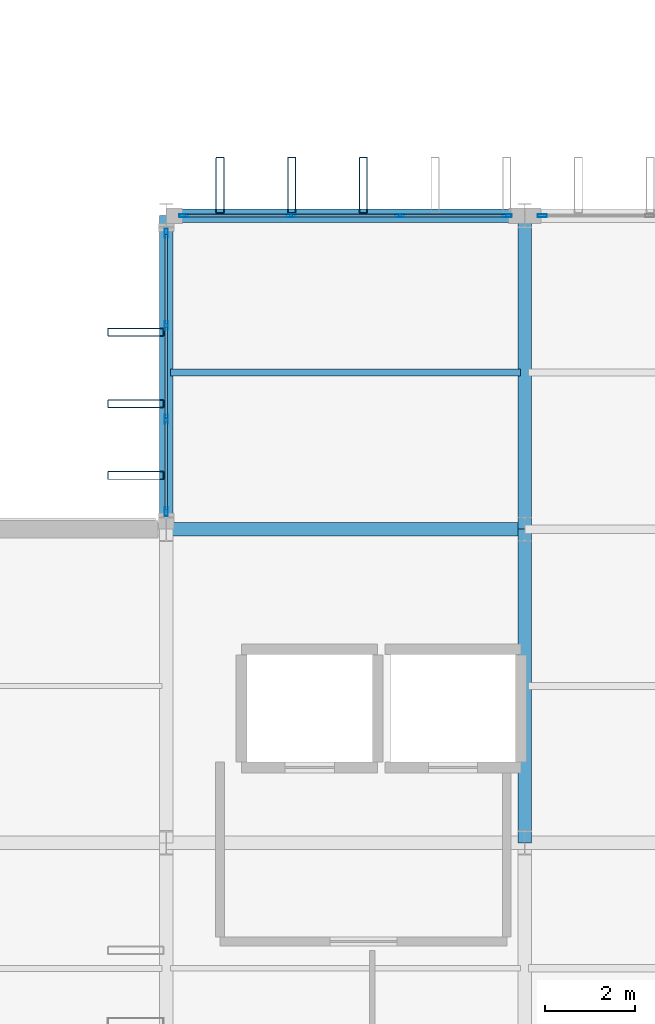
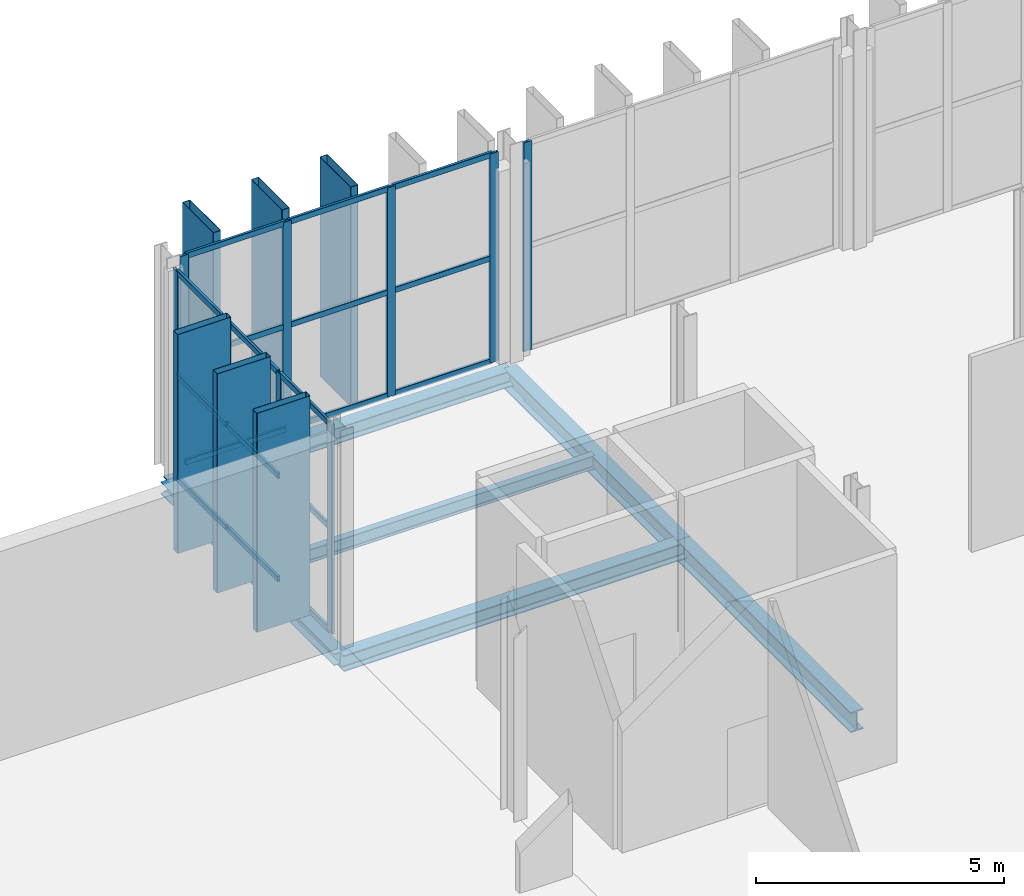
# One storey, part 51 of 147: 33 members, 6 beams, 3 elements without a shape of their own.
"""IFC4 building model written with IfcOpenShell, lengths in metres."""

from ifc_helpers import new_model, si_unit, direction, frame, origin, origin_2d, place, context, subcontext, project, spatial, hollow_rectangle, i_section, extrude, material, layer, layer_set, material_profile, profile_set, type_object, element, aggregate, save


model = new_model("IFC4")

# Units and contexts
model_context = context("Model", 3, precision=1e-05, world=origin(), true_north=direction((0.0, 1.0)))
body_context = subcontext(model_context, "Body", "Model", "MODEL_VIEW")
ifc_project = project(units=[si_unit("LENGTHUNIT", "METRE"), si_unit("AREAUNIT", "SQUARE_METRE"), si_unit("VOLUMEUNIT", "CUBIC_METRE"), si_unit("PLANEANGLEUNIT", "RADIAN"), si_unit("MASSUNIT", "GRAM", prefix="KILO")], contexts=[model_context])

# Site, building, storey
site_placement = place(None, origin())
site = spatial("IfcSite", under=ifc_project, at=site_placement, CompositionType="ELEMENT")
building_placement = place(site_placement, origin())
building = spatial("IfcBuilding", under=site, at=building_placement, Name="Vekula Escarpment Museum", CompositionType="ELEMENT")
storey_placement = place(building_placement, frame((0.0, 0.0, 7.800048828125)))
storey = spatial("IfcBuildingStorey", under=building, at=storey_placement, Name="L02", CompositionType="ELEMENT", Elevation=7.800048828125)

# Beams
ifc_material_1 = material(Name="Steel S355", Category="steel")
ifc_material_profile_1 = material_profile(ifc_material_1, i_section(OverallWidth=0.300048828125, OverallDepth=0.39990234375, WebThickness=0.013427734375, FlangeThickness=0.02392578125, FilletRadius=0.027099609375, at=origin_2d()), Name="HEB 400")
ifc_profile_set_1 = profile_set([ifc_material_profile_1], Name="Steel S355")
beam_type_1 = type_object("IfcBeamType", Name="BM-GIRD-HEB400", PredefinedType="BEAM", material=ifc_profile_set_1)
beam_1_placement = place(storey_placement, frame((70.0, 83.39990234375, -0.4599609375), z_axis=(1.0, 0.0, 0.0), x_axis=(0.0, 1.0, 0.0)))
element("IfcBeam", 1, at=beam_1_placement, inside=storey, type_object=beam_type_1, Name="Beam X L02 0940", PredefinedType="BEAM", context=body_context, shape_type="SweptSolid", body=[
    extrude(i_section(OverallWidth=0.300048828125, OverallDepth=0.39990234375, WebThickness=0.013427734375, FlangeThickness=0.02392578125, FilletRadius=0.027099609375, at=origin_2d()), origin(), (0.0, 0.0, 1.0), 8.0),
])
ifc_material_2 = material(Name="Steel S355", Category="steel")
ifc_material_profile_2 = material_profile(ifc_material_2, i_section(OverallWidth=0.300048828125, OverallDepth=0.5, WebThickness=0.014404296875, FlangeThickness=0.028076171875, FilletRadius=0.027099609375, at=origin_2d()), Name="HEB 500")
ifc_profile_set_2 = profile_set([ifc_material_profile_2], Name="Steel S355")
beam_type_2 = type_object("IfcBeamType", Name="BM-GIRD-HEB500", PredefinedType="BEAM", material=ifc_profile_set_2)
for number, where, z_axis, x_axis, name in (
    (2, (78.0, 76.39990234375, -0.510009765625), (0.0, 1.0, 0.0), (-1.0, 0.0, 0.0), "Beam Y L02 1138"),
    (3, (78.0, 83.39990234375, -0.510009765625), (0.0, 1.0, 0.0), (-1.0, 0.0, 0.0), "Beam Y L02 1139"),
):
    element("IfcBeam", number, at=place(storey_placement, frame(where, z_axis=z_axis, x_axis=x_axis)), inside=storey, type_object=beam_type_2, Name=name, PredefinedType="BEAM", context=body_context, shape_type="SweptSolid", body=[
        extrude(i_section(OverallWidth=0.300048828125, OverallDepth=0.5, WebThickness=0.014404296875, FlangeThickness=0.028076171875, FilletRadius=0.027099609375, at=origin_2d()), origin(), (0.0, 0.0, 1.0), 7.0),
    ])
ifc_material_3 = material(Name="Steel S355", Category="steel")
ifc_material_profile_3 = material_profile(ifc_material_3, i_section(OverallWidth=0.159912109375, OverallDepth=0.330078125, WebThickness=0.007568359375, FlangeThickness=0.011474609375, FilletRadius=0.01806640625, at=origin_2d()), Name="IPE 330")
ifc_profile_set_3 = profile_set([ifc_material_profile_3], Name="Steel S355")
beam_type_3 = type_object("IfcBeamType", Name="BM-JST-IPE330", PredefinedType="JOIST", material=ifc_profile_set_3)
beam_2_placement = place(storey_placement, frame((70.090087890625, 86.89990234375, -0.425048828125), z_axis=(1.0, 0.0, 0.0), x_axis=(0.0, 1.0, 0.0)))
element("IfcBeam", 4, at=beam_2_placement, inside=storey, type_object=beam_type_3, Name="Secondary Joist L02 0738", PredefinedType="JOIST", context=body_context, shape_type="SweptSolid", body=[
    extrude(i_section(OverallWidth=0.159912109375, OverallDepth=0.330078125, WebThickness=0.007568359375, FlangeThickness=0.011474609375, FilletRadius=0.01806640625, at=origin_2d()), origin(), (0.0, 0.0, 1.0), 7.81982421875),
])
ifc_material_4 = material(Name="Steel S355", Category="steel")
ifc_material_profile_4 = material_profile(ifc_material_4, i_section(OverallWidth=0.300048828125, OverallDepth=0.2900390625, WebThickness=0.008544921875, FlangeThickness=0.013916015625, FilletRadius=0.027099609375, at=origin_2d()), Name="HEA 300")
ifc_profile_set_4 = profile_set([ifc_material_profile_4], Name="Steel S355")
beam_type_4 = type_object("IfcBeamType", Name="BM-SPAN-HEA300", PredefinedType="SPANDREL", material=ifc_profile_set_4)
beam_3_placement = place(storey_placement, frame((70.0, 83.39990234375, -0.405029296875), z_axis=(0.0, 1.0, 0.0), x_axis=(-1.0, 0.0, 0.0)))
element("IfcBeam", 5, at=beam_3_placement, inside=storey, type_object=beam_type_4, Name="Beam Y L02 1131", PredefinedType="SPANDREL", context=body_context, shape_type="SweptSolid", body=[
    extrude(i_section(OverallWidth=0.300048828125, OverallDepth=0.2900390625, WebThickness=0.008544921875, FlangeThickness=0.013916015625, FilletRadius=0.027099609375, at=origin_2d()), origin(), (0.0, 0.0, 1.0), 7.0),
])
ifc_material_5 = material(Name="Steel S355", Category="steel")
ifc_material_profile_5 = material_profile(ifc_material_5, i_section(OverallWidth=0.300048828125, OverallDepth=0.389892578125, WebThickness=0.010986328125, FlangeThickness=0.01904296875, FilletRadius=0.027099609375, at=origin_2d()), Name="HEA 400")
ifc_profile_set_5 = profile_set([ifc_material_profile_5], Name="Steel S355")
beam_type_5 = type_object("IfcBeamType", Name="BM-SPAN-HEA400", PredefinedType="SPANDREL", material=ifc_profile_set_5)
beam_4_placement = place(storey_placement, frame((70.0, 90.39990234375, -0.455078125), z_axis=(1.0, 0.0, 0.0), x_axis=(0.0, 1.0, 0.0)))
element("IfcBeam", 6, at=beam_4_placement, inside=storey, type_object=beam_type_5, Name="Beam X L02 0950", PredefinedType="SPANDREL", context=body_context, shape_type="SweptSolid", body=[
    extrude(i_section(OverallWidth=0.300048828125, OverallDepth=0.389892578125, WebThickness=0.010986328125, FlangeThickness=0.01904296875, FilletRadius=0.027099609375, at=origin_2d()), origin(), (0.0, 0.0, 1.0), 8.0),
])

# Curtain wall, member
ifc_material_6 = material(Name="Aluminium thermally broken framing", Category="aluminium")
ifc_layer_1 = layer(ifc_material_6, 0.159912109375)
ifc_layer_set_1 = layer_set([ifc_layer_1], Name="Aluminium thermally broken framing")
curtain_wall_type_1 = type_object("IfcCurtainWallType", Name="CW-SYS-02", PredefinedType="NOTDEFINED", material=ifc_layer_set_1)
curtain_wall_1_placement = place(storey_placement, origin())
curtain_wall_1 = element("IfcCurtainWall", 7, at=curtain_wall_1_placement, inside=storey, type_object=curtain_wall_type_1, Name="Curtain Wall CW-L02-092", PredefinedType="NOTDEFINED")
ifc_material_7 = material(Name="Aluminium anodized mullion", Category="aluminium")
ifc_material_profile_6 = material_profile(ifc_material_7, hollow_rectangle(XDim=0.06494140625, YDim=0.199951171875, WallThickness=0.00390625, InnerFilletRadius=0.00390625, OuterFilletRadius=0.008056640625, at=origin_2d()), Name="ALU 200x65x4")
ifc_profile_set_6 = profile_set([ifc_material_profile_6], Name="Aluminium anodized mullion")
member_type_1 = type_object("IfcMemberType", Name="CW-MUL-200", PredefinedType="MULLION", material=ifc_profile_set_6)
member_1_placement = place(storey_placement, frame((78.392578125, 90.39990234375, 0.0), z_axis=(0.0, 0.0, 1.0), x_axis=(0.0, -1.0, 0.0)))
member_1 = element("IfcMember", 8, at=member_1_placement, type_object=member_type_1, Name="CW-02 mullion 4", PredefinedType="MULLION", context=body_context, shape_type="SweptSolid", body=[
    extrude(hollow_rectangle(XDim=0.06494140625, YDim=0.199951171875, WallThickness=0.00390625, InnerFilletRadius=0.00390625, OuterFilletRadius=0.008056640625, at=origin_2d()), origin(), (0.0, 0.0, 1.0), 5.14990234375),
])
aggregate(curtain_wall_1, [member_1])

# Curtain wall, members
ifc_material_8 = material(Name="Aluminium thermally broken framing", Category="aluminium")
ifc_layer_2 = layer(ifc_material_8, 0.199951171875)
ifc_layer_set_2 = layer_set([ifc_layer_2], Name="Aluminium thermally broken framing")
curtain_wall_type_2 = type_object("IfcCurtainWallType", Name="CW-SYS-03", PredefinedType="NOTDEFINED", material=ifc_layer_set_2)
curtain_wall_2_placement = place(storey_placement, origin())
curtain_wall_2 = element("IfcCurtainWall", 9, at=curtain_wall_2_placement, inside=storey, type_object=curtain_wall_type_2, Name="Curtain Wall CW-L02-093", PredefinedType="NOTDEFINED")
member_2_placement = place(storey_placement, frame((77.607421875, 90.39990234375, 0.0), z_axis=(0.0, 0.0, 1.0), x_axis=(0.0, -1.0, 0.0)))
member_2 = element("IfcMember", 10, at=member_2_placement, type_object=member_type_1, Name="CW-03 mullion 1", PredefinedType="MULLION", context=body_context, shape_type="SweptSolid", body=[
    extrude(hollow_rectangle(XDim=0.06494140625, YDim=0.199951171875, WallThickness=0.00390625, InnerFilletRadius=0.00390625, OuterFilletRadius=0.008056640625, at=origin_2d()), origin(), (0.0, 0.0, 1.0), 5.14990234375),
])
member_3_placement = place(storey_placement, frame((75.21337890625, 90.39990234375, 0.0), z_axis=(0.0, 0.0, 1.0), x_axis=(0.0, -1.0, 0.0)))
member_3 = element("IfcMember", 11, at=member_3_placement, type_object=member_type_1, Name="CW-03 mullion 2", PredefinedType="MULLION", context=body_context, shape_type="SweptSolid", body=[
    extrude(hollow_rectangle(XDim=0.06494140625, YDim=0.199951171875, WallThickness=0.00390625, InnerFilletRadius=0.00390625, OuterFilletRadius=0.008056640625, at=origin_2d()), origin(), (0.0, 0.0, 1.0), 5.14990234375),
])
member_4_placement = place(storey_placement, frame((72.78662109375, 90.39990234375, 0.0), z_axis=(0.0, 0.0, 1.0), x_axis=(0.0, -1.0, 0.0)))
member_4 = element("IfcMember", 12, at=member_4_placement, type_object=member_type_1, Name="CW-03 mullion 3", PredefinedType="MULLION", context=body_context, shape_type="SweptSolid", body=[
    extrude(hollow_rectangle(XDim=0.06494140625, YDim=0.199951171875, WallThickness=0.00390625, InnerFilletRadius=0.00390625, OuterFilletRadius=0.008056640625, at=origin_2d()), origin(), (0.0, 0.0, 1.0), 5.14990234375),
])
member_5_placement = place(storey_placement, frame((70.392578125, 90.39990234375, 0.0), z_axis=(0.0, 0.0, 1.0), x_axis=(0.0, -1.0, 0.0)))
member_5 = element("IfcMember", 13, at=member_5_placement, type_object=member_type_1, Name="CW-03 mullion 4", PredefinedType="MULLION", context=body_context, shape_type="SweptSolid", body=[
    extrude(hollow_rectangle(XDim=0.06494140625, YDim=0.199951171875, WallThickness=0.00390625, InnerFilletRadius=0.00390625, OuterFilletRadius=0.008056640625, at=origin_2d()), origin(), (0.0, 0.0, 1.0), 5.14990234375),
])

ifc_material_9 = material(Name="Aluminium thermally broken framing", Category="aluminium")
ifc_layer_3 = layer(ifc_material_9, 0.199951171875)
ifc_layer_set_3 = layer_set([ifc_layer_3], Name="Aluminium thermally broken framing")
curtain_wall_type_3 = type_object("IfcCurtainWallType", Name="CW-SYS-04", PredefinedType="NOTDEFINED", material=ifc_layer_set_3)
curtain_wall_3_placement = place(storey_placement, origin())
curtain_wall_3 = element("IfcCurtainWall", 14, at=curtain_wall_3_placement, inside=storey, type_object=curtain_wall_type_3, Name="Curtain Wall CW-L02-094", PredefinedType="NOTDEFINED")
member_6_placement = place(storey_placement, frame((70.0, 90.007568359375, 0.0), z_axis=(0.0, 0.0, 1.0), x_axis=(1.0, 0.0, 0.0)))
member_6 = element("IfcMember", 15, at=member_6_placement, type_object=member_type_1, Name="CW-04 mullion 1", PredefinedType="MULLION", context=body_context, shape_type="SweptSolid", body=[
    extrude(hollow_rectangle(XDim=0.06494140625, YDim=0.199951171875, WallThickness=0.00390625, InnerFilletRadius=0.00390625, OuterFilletRadius=0.008056640625, at=origin_2d()), origin(), (0.0, 0.0, 1.0), 5.14990234375),
])
member_7_placement = place(storey_placement, frame((70.0, 87.94677734375, 0.0), z_axis=(0.0, 0.0, 1.0), x_axis=(1.0, 0.0, 0.0)))
member_7 = element("IfcMember", 16, at=member_7_placement, type_object=member_type_1, Name="CW-04 mullion 2", PredefinedType="MULLION", context=body_context, shape_type="SweptSolid", body=[
    extrude(hollow_rectangle(XDim=0.06494140625, YDim=0.199951171875, WallThickness=0.00390625, InnerFilletRadius=0.00390625, OuterFilletRadius=0.008056640625, at=origin_2d()), origin(), (0.0, 0.0, 1.0), 5.14990234375),
])
member_8_placement = place(storey_placement, frame((70.0, 85.853271484375, 0.0), z_axis=(0.0, 0.0, 1.0), x_axis=(1.0, 0.0, 0.0)))
member_8 = element("IfcMember", 17, at=member_8_placement, type_object=member_type_1, Name="CW-04 mullion 3", PredefinedType="MULLION", context=body_context, shape_type="SweptSolid", body=[
    extrude(hollow_rectangle(XDim=0.06494140625, YDim=0.199951171875, WallThickness=0.00390625, InnerFilletRadius=0.00390625, OuterFilletRadius=0.008056640625, at=origin_2d()), origin(), (0.0, 0.0, 1.0), 5.14990234375),
])
member_9_placement = place(storey_placement, frame((70.0, 83.79248046875, 0.0), z_axis=(0.0, 0.0, 1.0), x_axis=(1.0, 0.0, 0.0)))
member_9 = element("IfcMember", 18, at=member_9_placement, type_object=member_type_1, Name="CW-04 mullion 4", PredefinedType="MULLION", context=body_context, shape_type="SweptSolid", body=[
    extrude(hollow_rectangle(XDim=0.06494140625, YDim=0.199951171875, WallThickness=0.00390625, InnerFilletRadius=0.00390625, OuterFilletRadius=0.008056640625, at=origin_2d()), origin(), (0.0, 0.0, 1.0), 5.14990234375),
])

# Member
ifc_material_10 = material(Name="Aluminium anodized transom", Category="aluminium")
ifc_material_profile_7 = material_profile(ifc_material_10, hollow_rectangle(XDim=0.06494140625, YDim=0.139892578125, WallThickness=0.00390625, InnerFilletRadius=0.00390625, OuterFilletRadius=0.008056640625, at=origin_2d()), Name="ALU 140x65x4")
ifc_profile_set_7 = profile_set([ifc_material_profile_7], Name="Aluminium anodized transom")
member_type_2 = type_object("IfcMemberType", Name="CW-TRN-140", PredefinedType="USERDEFINED", material=ifc_profile_set_7)
member_10_placement = place(storey_placement, frame((77.574951171875, 90.39990234375, 0.032470703125), z_axis=(-1.0, 0.0, 0.0), x_axis=(0.0, -1.0, 0.0)))
member_10 = element("IfcMember", 19, at=member_10_placement, type_object=member_type_2, Name="CW-03 transom 1.1", ObjectType="TRANSOM", PredefinedType="USERDEFINED", context=body_context, shape_type="SweptSolid", body=[
    extrude(hollow_rectangle(XDim=0.06494140625, YDim=0.139892578125, WallThickness=0.00390625, InnerFilletRadius=0.00390625, OuterFilletRadius=0.008056640625, at=origin_2d()), origin(), (0.0, 0.0, 1.0), 2.3291015625),
])

member_11_placement = place(storey_placement, frame((77.574951171875, 90.39990234375, 2.574951171875), z_axis=(-1.0, 0.0, 0.0), x_axis=(0.0, -1.0, 0.0)))
member_11 = element("IfcMember", 20, at=member_11_placement, type_object=member_type_2, Name="CW-03 transom 1.2", ObjectType="TRANSOM", PredefinedType="USERDEFINED", context=body_context, shape_type="SweptSolid", body=[
    extrude(hollow_rectangle(XDim=0.06494140625, YDim=0.139892578125, WallThickness=0.00390625, InnerFilletRadius=0.00390625, OuterFilletRadius=0.008056640625, at=origin_2d()), origin(), (0.0, 0.0, 1.0), 2.3291015625),
])

member_12_placement = place(storey_placement, frame((77.574951171875, 90.39990234375, 5.117431640625), z_axis=(-1.0, 0.0, 0.0), x_axis=(0.0, -1.0, 0.0)))
member_12 = element("IfcMember", 21, at=member_12_placement, type_object=member_type_2, Name="CW-03 transom 1.3", ObjectType="TRANSOM", PredefinedType="USERDEFINED", context=body_context, shape_type="SweptSolid", body=[
    extrude(hollow_rectangle(XDim=0.06494140625, YDim=0.139892578125, WallThickness=0.00390625, InnerFilletRadius=0.00390625, OuterFilletRadius=0.008056640625, at=origin_2d()), origin(), (0.0, 0.0, 1.0), 2.3291015625),
])

member_13_placement = place(storey_placement, frame((75.180908203125, 90.39990234375, 0.032470703125), z_axis=(-1.0, 0.0, 0.0), x_axis=(0.0, -1.0, 0.0)))
member_13 = element("IfcMember", 22, at=member_13_placement, type_object=member_type_2, Name="CW-03 transom 2.1", ObjectType="TRANSOM", PredefinedType="USERDEFINED", context=body_context, shape_type="SweptSolid", body=[
    extrude(hollow_rectangle(XDim=0.06494140625, YDim=0.139892578125, WallThickness=0.00390625, InnerFilletRadius=0.00390625, OuterFilletRadius=0.008056640625, at=origin_2d()), origin(), (0.0, 0.0, 1.0), 2.36181640625),
])

member_14_placement = place(storey_placement, frame((75.180908203125, 90.39990234375, 2.574951171875), z_axis=(-1.0, 0.0, 0.0), x_axis=(0.0, -1.0, 0.0)))
member_14 = element("IfcMember", 23, at=member_14_placement, type_object=member_type_2, Name="CW-03 transom 2.2", ObjectType="TRANSOM", PredefinedType="USERDEFINED", context=body_context, shape_type="SweptSolid", body=[
    extrude(hollow_rectangle(XDim=0.06494140625, YDim=0.139892578125, WallThickness=0.00390625, InnerFilletRadius=0.00390625, OuterFilletRadius=0.008056640625, at=origin_2d()), origin(), (0.0, 0.0, 1.0), 2.36181640625),
])

member_15_placement = place(storey_placement, frame((75.180908203125, 90.39990234375, 5.117431640625), z_axis=(-1.0, 0.0, 0.0), x_axis=(0.0, -1.0, 0.0)))
member_15 = element("IfcMember", 24, at=member_15_placement, type_object=member_type_2, Name="CW-03 transom 2.3", ObjectType="TRANSOM", PredefinedType="USERDEFINED", context=body_context, shape_type="SweptSolid", body=[
    extrude(hollow_rectangle(XDim=0.06494140625, YDim=0.139892578125, WallThickness=0.00390625, InnerFilletRadius=0.00390625, OuterFilletRadius=0.008056640625, at=origin_2d()), origin(), (0.0, 0.0, 1.0), 2.36181640625),
])

member_16_placement = place(storey_placement, frame((72.754150390625, 90.39990234375, 0.032470703125), z_axis=(-1.0, 0.0, 0.0), x_axis=(0.0, -1.0, 0.0)))
member_16 = element("IfcMember", 25, at=member_16_placement, type_object=member_type_2, Name="CW-03 transom 3.1", ObjectType="TRANSOM", PredefinedType="USERDEFINED", context=body_context, shape_type="SweptSolid", body=[
    extrude(hollow_rectangle(XDim=0.06494140625, YDim=0.139892578125, WallThickness=0.00390625, InnerFilletRadius=0.00390625, OuterFilletRadius=0.008056640625, at=origin_2d()), origin(), (0.0, 0.0, 1.0), 2.3291015625),
])

member_17_placement = place(storey_placement, frame((72.754150390625, 90.39990234375, 2.574951171875), z_axis=(-1.0, 0.0, 0.0), x_axis=(0.0, -1.0, 0.0)))
member_17 = element("IfcMember", 26, at=member_17_placement, type_object=member_type_2, Name="CW-03 transom 3.2", ObjectType="TRANSOM", PredefinedType="USERDEFINED", context=body_context, shape_type="SweptSolid", body=[
    extrude(hollow_rectangle(XDim=0.06494140625, YDim=0.139892578125, WallThickness=0.00390625, InnerFilletRadius=0.00390625, OuterFilletRadius=0.008056640625, at=origin_2d()), origin(), (0.0, 0.0, 1.0), 2.3291015625),
])

member_18_placement = place(storey_placement, frame((72.754150390625, 90.39990234375, 5.117431640625), z_axis=(-1.0, 0.0, 0.0), x_axis=(0.0, -1.0, 0.0)))
member_18 = element("IfcMember", 27, at=member_18_placement, type_object=member_type_2, Name="CW-03 transom 3.3", ObjectType="TRANSOM", PredefinedType="USERDEFINED", context=body_context, shape_type="SweptSolid", body=[
    extrude(hollow_rectangle(XDim=0.06494140625, YDim=0.139892578125, WallThickness=0.00390625, InnerFilletRadius=0.00390625, OuterFilletRadius=0.008056640625, at=origin_2d()), origin(), (0.0, 0.0, 1.0), 2.3291015625),
])

aggregate(curtain_wall_2, [member_2, member_3, member_4, member_5, member_10, member_11, member_12, member_13, member_14, member_15, member_16, member_17, member_18])

member_19_placement = place(storey_placement, frame((70.0, 89.97509765625, 0.032470703125), z_axis=(0.0, -1.0, 0.0), x_axis=(1.0, 0.0, 0.0)))
member_19 = element("IfcMember", 28, at=member_19_placement, type_object=member_type_2, Name="CW-04 transom 1.1", ObjectType="TRANSOM", PredefinedType="USERDEFINED", context=body_context, shape_type="SweptSolid", body=[
    extrude(hollow_rectangle(XDim=0.06494140625, YDim=0.139892578125, WallThickness=0.00390625, InnerFilletRadius=0.00390625, OuterFilletRadius=0.008056640625, at=origin_2d()), origin(), (0.0, 0.0, 1.0), 1.995849609375),
])

member_20_placement = place(storey_placement, frame((70.0, 89.97509765625, 2.574951171875), z_axis=(0.0, -1.0, 0.0), x_axis=(1.0, 0.0, 0.0)))
member_20 = element("IfcMember", 29, at=member_20_placement, type_object=member_type_2, Name="CW-04 transom 1.2", ObjectType="TRANSOM", PredefinedType="USERDEFINED", context=body_context, shape_type="SweptSolid", body=[
    extrude(hollow_rectangle(XDim=0.06494140625, YDim=0.139892578125, WallThickness=0.00390625, InnerFilletRadius=0.00390625, OuterFilletRadius=0.008056640625, at=origin_2d()), origin(), (0.0, 0.0, 1.0), 1.995849609375),
])

member_21_placement = place(storey_placement, frame((70.0, 89.97509765625, 5.117431640625), z_axis=(0.0, -1.0, 0.0), x_axis=(1.0, 0.0, 0.0)))
member_21 = element("IfcMember", 30, at=member_21_placement, type_object=member_type_2, Name="CW-04 transom 1.3", ObjectType="TRANSOM", PredefinedType="USERDEFINED", context=body_context, shape_type="SweptSolid", body=[
    extrude(hollow_rectangle(XDim=0.06494140625, YDim=0.139892578125, WallThickness=0.00390625, InnerFilletRadius=0.00390625, OuterFilletRadius=0.008056640625, at=origin_2d()), origin(), (0.0, 0.0, 1.0), 1.995849609375),
])

member_22_placement = place(storey_placement, frame((70.0, 87.9140625, 0.032470703125), z_axis=(0.0, -1.0, 0.0), x_axis=(1.0, 0.0, 0.0)))
member_22 = element("IfcMember", 31, at=member_22_placement, type_object=member_type_2, Name="CW-04 transom 2.1", ObjectType="TRANSOM", PredefinedType="USERDEFINED", context=body_context, shape_type="SweptSolid", body=[
    extrude(hollow_rectangle(XDim=0.06494140625, YDim=0.139892578125, WallThickness=0.00390625, InnerFilletRadius=0.00390625, OuterFilletRadius=0.008056640625, at=origin_2d()), origin(), (0.0, 0.0, 1.0), 2.0283203125),
])

member_23_placement = place(storey_placement, frame((70.0, 87.9140625, 2.574951171875), z_axis=(0.0, -1.0, 0.0), x_axis=(1.0, 0.0, 0.0)))
member_23 = element("IfcMember", 32, at=member_23_placement, type_object=member_type_2, Name="CW-04 transom 2.2", ObjectType="TRANSOM", PredefinedType="USERDEFINED", context=body_context, shape_type="SweptSolid", body=[
    extrude(hollow_rectangle(XDim=0.06494140625, YDim=0.139892578125, WallThickness=0.00390625, InnerFilletRadius=0.00390625, OuterFilletRadius=0.008056640625, at=origin_2d()), origin(), (0.0, 0.0, 1.0), 2.0283203125),
])

member_24_placement = place(storey_placement, frame((70.0, 87.9140625, 5.117431640625), z_axis=(0.0, -1.0, 0.0), x_axis=(1.0, 0.0, 0.0)))
member_24 = element("IfcMember", 33, at=member_24_placement, type_object=member_type_2, Name="CW-04 transom 2.3", ObjectType="TRANSOM", PredefinedType="USERDEFINED", context=body_context, shape_type="SweptSolid", body=[
    extrude(hollow_rectangle(XDim=0.06494140625, YDim=0.139892578125, WallThickness=0.00390625, InnerFilletRadius=0.00390625, OuterFilletRadius=0.008056640625, at=origin_2d()), origin(), (0.0, 0.0, 1.0), 2.0283203125),
])

member_25_placement = place(storey_placement, frame((70.0, 85.82080078125, 0.032470703125), z_axis=(0.0, -1.0, 0.0), x_axis=(1.0, 0.0, 0.0)))
member_25 = element("IfcMember", 34, at=member_25_placement, type_object=member_type_2, Name="CW-04 transom 3.1", ObjectType="TRANSOM", PredefinedType="USERDEFINED", context=body_context, shape_type="SweptSolid", body=[
    extrude(hollow_rectangle(XDim=0.06494140625, YDim=0.139892578125, WallThickness=0.00390625, InnerFilletRadius=0.00390625, OuterFilletRadius=0.008056640625, at=origin_2d()), origin(), (0.0, 0.0, 1.0), 1.995849609375),
])

member_26_placement = place(storey_placement, frame((70.0, 85.82080078125, 2.574951171875), z_axis=(0.0, -1.0, 0.0), x_axis=(1.0, 0.0, 0.0)))
member_26 = element("IfcMember", 35, at=member_26_placement, type_object=member_type_2, Name="CW-04 transom 3.2", ObjectType="TRANSOM", PredefinedType="USERDEFINED", context=body_context, shape_type="SweptSolid", body=[
    extrude(hollow_rectangle(XDim=0.06494140625, YDim=0.139892578125, WallThickness=0.00390625, InnerFilletRadius=0.00390625, OuterFilletRadius=0.008056640625, at=origin_2d()), origin(), (0.0, 0.0, 1.0), 1.995849609375),
])

member_27_placement = place(storey_placement, frame((70.0, 85.82080078125, 5.117431640625), z_axis=(0.0, -1.0, 0.0), x_axis=(1.0, 0.0, 0.0)))
member_27 = element("IfcMember", 36, at=member_27_placement, type_object=member_type_2, Name="CW-04 transom 3.3", ObjectType="TRANSOM", PredefinedType="USERDEFINED", context=body_context, shape_type="SweptSolid", body=[
    extrude(hollow_rectangle(XDim=0.06494140625, YDim=0.139892578125, WallThickness=0.00390625, InnerFilletRadius=0.00390625, OuterFilletRadius=0.008056640625, at=origin_2d()), origin(), (0.0, 0.0, 1.0), 1.995849609375),
])

aggregate(curtain_wall_3, [member_6, member_7, member_8, member_9, member_19, member_20, member_21, member_22, member_23, member_24, member_25, member_26, member_27])

# Members
ifc_material_11 = material(Name="Steel S355 weathered bronze solar fin", Category="steel")
ifc_material_profile_8 = material_profile(ifc_material_11, hollow_rectangle(XDim=0.179931640625, YDim=1.25, WallThickness=0.010009765625, InnerFilletRadius=0.010009765625, OuterFilletRadius=0.02001953125, at=origin_2d()), Name="RHS 1250x180x10")
ifc_profile_set_8 = profile_set([ifc_material_profile_8], Name="Steel S355 weathered bronze solar fin")
member_type_3 = type_object("IfcMemberType", Name="MB-SOLAR-FIN", PredefinedType="USERDEFINED", material=ifc_profile_set_8)
for number, where, z_axis, x_axis, name in (
    (37, (71.199951171875, 91.080078125, 0.0), (0.0, 0.0, 1.0), (1.0, 0.0, 0.0), "Great Hall Vertical Solar Fin 0132"),
    (38, (72.800048828125, 91.080078125, 0.0), (0.0, 0.0, 1.0), (1.0, 0.0, 0.0), "Great Hall Vertical Solar Fin 0137"),
    (39, (74.39990234375, 91.080078125, 0.0), (0.0, 0.0, 1.0), (1.0, 0.0, 0.0), "Great Hall Vertical Solar Fin 0142"),
    (40, (69.320068359375, 84.60009765625, 0.0), (0.0, 0.0, 1.0), (0.0, 1.0, 0.0), "Great Hall Vertical Solar Fin 0337"),
    (41, (69.320068359375, 86.199951171875, 0.0), (0.0, 0.0, 1.0), (0.0, 1.0, 0.0), "Great Hall Vertical Solar Fin 0342"),
    (42, (69.320068359375, 87.800048828125, 0.0), (0.0, 0.0, 1.0), (0.0, 1.0, 0.0), "Great Hall Vertical Solar Fin 0347"),
):
    element("IfcMember", number, at=place(storey_placement, frame(where, z_axis=z_axis, x_axis=x_axis)), inside=storey, type_object=member_type_3, Name=name, ObjectType="SOLAR FIN", PredefinedType="USERDEFINED", context=body_context, shape_type="SweptSolid", body=[
        extrude(hollow_rectangle(XDim=0.179931640625, YDim=1.25, WallThickness=0.010009765625, InnerFilletRadius=0.010009765625, OuterFilletRadius=0.02001953125, at=origin_2d()), origin(), (0.0, 0.0, 1.0), 5.39990234375),
    ])

save(model, "model.ifc")
